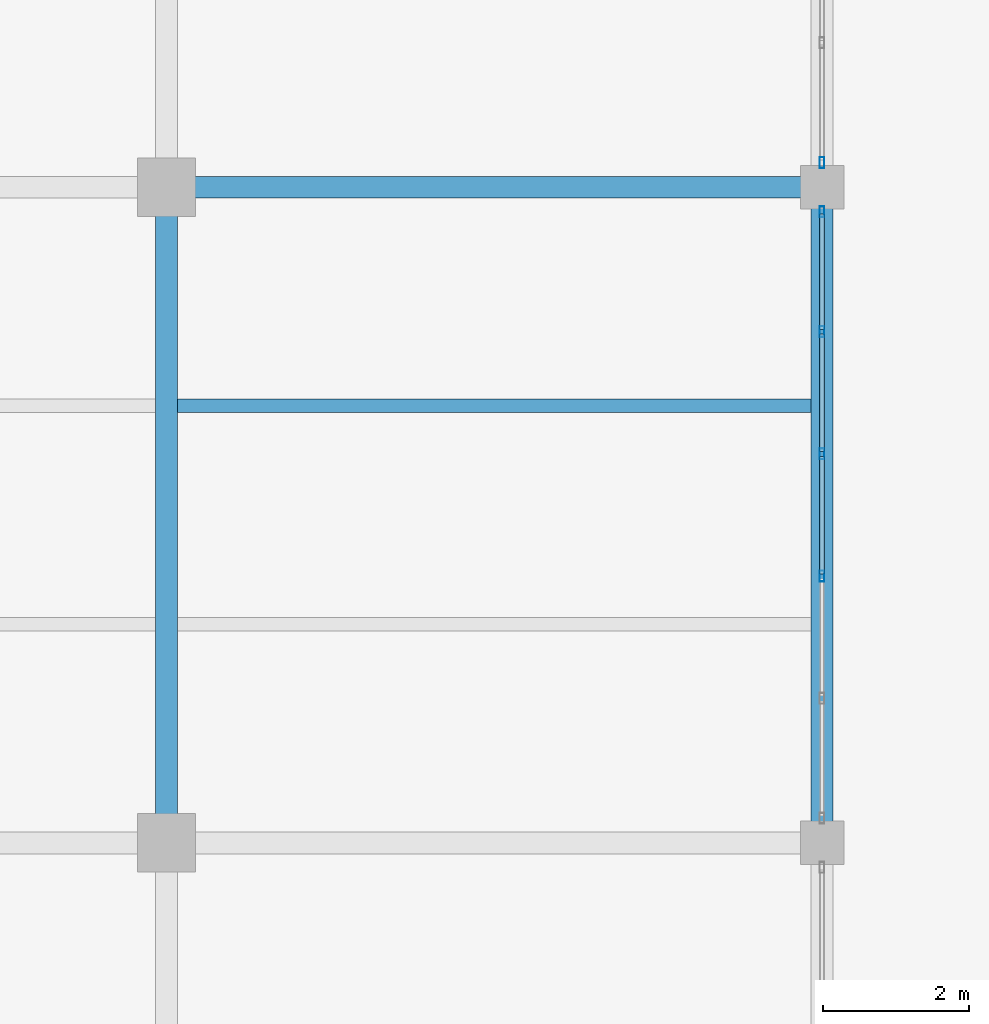
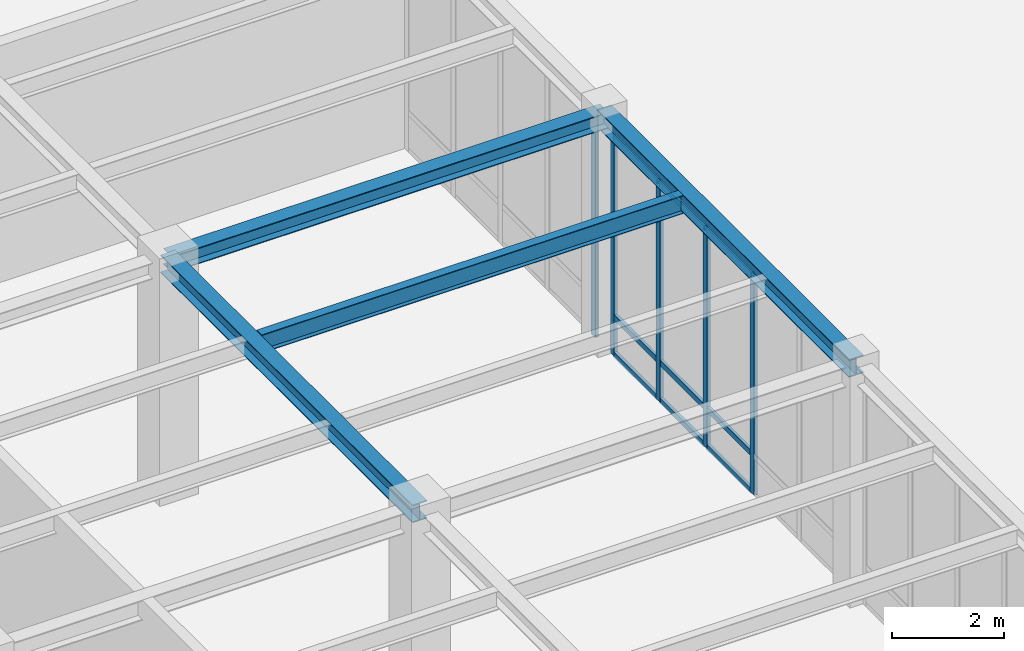
# One storey, part 42 of 77: 14 members, 4 beams, 2 elements without a shape of their own.
"""IFC4 building model written with IfcOpenShell, lengths in metres."""

import ifcopenshell
import ifcopenshell.guid

model = None  # the IFC model being written
_history = None  # IfcOwnerHistory: only IFC2X3 demands one
_inside = {}  # id of a spatial element -> (the spatial element, [elements in it])
_under = {}  # id of a project, library or spatial element -> (it, [spatial elements below it])
_declared = {}  # id of a project -> (the project, [libraries it declares])
_typed = {}  # id of a type object -> (the type object, [elements of that type])
_made_of = {}  # id of a material, layer set ... -> (it, [elements and type objects made of it])


def new_model(schema):
    """Start an empty IFC model of exactly this schema.

    Asked for "IFC4X3", IfcOpenShell would pick the latest addendum, in which some entities
    have other attributes; the version numbers below select the first issue.
    IFC2X3 requires an IfcOwnerHistory on every rooted entity: one is made here for all.
    """
    global model, _history
    if schema == "IFC4X3":
        model = ifcopenshell.file(schema_version=(4, 3, 0, 0))
    else:
        model = ifcopenshell.file(schema=schema)
    _inside.clear()
    _under.clear()
    _declared.clear()
    _typed.clear()
    _made_of.clear()
    _history = None
    if model.schema == "IFC2X3":
        org = make("IfcOrganization", Name="unknown")
        user = make(
            "IfcPersonAndOrganization",
            ThePerson=make("IfcPerson", FamilyName="unknown"),
            TheOrganization=org,
        )
        app = make(
            "IfcApplication",
            ApplicationDeveloper=org,
            Version="unknown",
            ApplicationFullName="unknown",
            ApplicationIdentifier="unknown",
        )
        _history = make(
            "IfcOwnerHistory",
            OwningUser=user,
            OwningApplication=app,
            ChangeAction="ADDED",
            CreationDate=0,
        )
    return model


def make(cls, **values):
    """One entity of the class cls with the attributes given. An attribute that is None is left unset."""
    return model.create_entity(
        cls, **{name: value for name, value in values.items() if value is not None}
    )


def rooted(cls, **values):
    """An entity with a GlobalId (a new one), such as an element, a storey or a relation."""
    return make(cls, GlobalId=ifcopenshell.guid.new(), OwnerHistory=_history, **values)


def si_unit(unit_type, name, prefix=None):
    """IfcSIUnit, for example si_unit("LENGTHUNIT", "METRE", prefix="MILLI")."""
    return make("IfcSIUnit", UnitType=unit_type, Prefix=prefix, Name=name)


def assignment(units):
    """IfcUnitAssignment: the units of a project."""
    return None if units is None else make("IfcUnitAssignment", Units=units)


def point(xyz):
    """IfcCartesianPoint."""
    return None if xyz is None else make("IfcCartesianPoint", Coordinates=xyz)


def direction(xyz):
    """IfcDirection."""
    return None if xyz is None else make("IfcDirection", DirectionRatios=xyz)


def frame(location, z_axis=None, x_axis=None):
    """IfcAxis2Placement3D, a coordinate frame: its origin and axes. An axis left out is left unset."""
    return make(
        "IfcAxis2Placement3D",
        Location=point(location),
        Axis=direction(z_axis),
        RefDirection=direction(x_axis),
    )


def frame_2d(location, x_axis=None):
    """IfcAxis2Placement2D, a coordinate frame in the plane: its origin and x axis."""
    return make(
        "IfcAxis2Placement2D", Location=point(location), RefDirection=direction(x_axis)
    )


def origin():
    """The frame at (0, 0, 0) with its axes left unset."""
    return frame((0.0, 0.0, 0.0))


def origin_2d():
    """The frame at (0, 0) in the plane with its x axis left unset."""
    return frame_2d((0.0, 0.0))


def place(relative_to, where):
    """IfcLocalPlacement: puts the frame where relative to a parent placement (None: the world)."""
    return make(
        "IfcLocalPlacement", PlacementRelTo=relative_to, RelativePlacement=where
    )


def context(
    kind, dimensions, precision=None, world=None, true_north=None, identifier=None
):
    """IfcGeometricRepresentationContext, for example the 3D "Model" context."""
    return make(
        "IfcGeometricRepresentationContext",
        ContextIdentifier=identifier,
        ContextType=kind,
        CoordinateSpaceDimension=dimensions,
        Precision=precision,
        WorldCoordinateSystem=world,
        TrueNorth=true_north,
    )


def subcontext(parent, identifier, kind, view, scale=None):
    """IfcGeometricRepresentationSubContext, for example "Body" below "Model"."""
    return make(
        "IfcGeometricRepresentationSubContext",
        ContextIdentifier=identifier,
        ContextType=kind,
        ParentContext=parent,
        TargetScale=scale,
        TargetView=view,
    )


def project(units=None, contexts=None):
    """IfcProject with its units and contexts."""
    return rooted(
        "IfcProject",
        Name="project",
        RepresentationContexts=contexts,
        UnitsInContext=assignment(units),
    )


def spatial(cls, under=None, at=None, **own):
    """A site, building, storey or space (cls), placed at a placement, below another one or the project."""
    s = rooted(cls, ObjectPlacement=at, **own)
    if under is not None:
        _under.setdefault(under.id(), (under, []))[1].append(s)
    return s


def profile(cls, at=None, kind="AREA", **sizes):
    """A parametric profile (cls). Its sizes go by their IFC names, for example OverallWidth=200.0."""
    return make(cls, ProfileType=kind, Position=at, **sizes)


def hollow_rectangle(**sizes):
    """IfcRectangleHollowProfileDef."""
    return profile("IfcRectangleHollowProfileDef", **sizes)


def i_section(**sizes):
    """IfcIShapeProfileDef."""
    return profile("IfcIShapeProfileDef", **sizes)


def extrude(swept, where, along, depth):
    """IfcExtrudedAreaSolid: the profile swept, set in the frame where, extruded along a direction by depth."""
    return make(
        "IfcExtrudedAreaSolid",
        SweptArea=swept,
        Position=where,
        ExtrudedDirection=direction(along),
        Depth=depth,
    )


def shape(context_of_items, identifier, shape_type, items):
    """IfcShapeRepresentation: the items that make up one representation, for example the "Body"."""
    return make(
        "IfcShapeRepresentation",
        ContextOfItems=context_of_items,
        RepresentationIdentifier=identifier,
        RepresentationType=shape_type,
        Items=items,
    )


def material(Name=None, Category=None):
    """IfcMaterial."""
    return make("IfcMaterial", Name=Name, Category=Category)


def material_profile(
    of_material, cross_section, Name=None, Category=None, Priority=None
):
    """IfcMaterialProfile: a cross section and its material."""
    return make(
        "IfcMaterialProfile",
        Name=Name,
        Material=of_material,
        Profile=cross_section,
        Priority=Priority,
        Category=Category,
    )


def profile_set(profiles, Name=None, composite=None):
    """IfcMaterialProfileSet."""
    return make(
        "IfcMaterialProfileSet",
        Name=Name,
        MaterialProfiles=profiles,
        CompositeProfile=composite,
    )


def made_of(thing, what):
    """Note that an element or type object is made of a material, layer set ...; save() writes the relation."""
    if what is not None:
        _made_of.setdefault(what.id(), (what, []))[1].append(thing)
    return thing


def type_object(cls, material=None, **own):
    """A type object (cls), such as IfcWallType, which elements share."""
    return made_of(rooted(cls, **own), material)


def element(
    cls,
    number,
    at=None,
    inside=None,
    cuts=None,
    type_object=None,
    material=None,
    context=None,
    identifier="Body",
    shape_type=None,
    held_by="IfcProductDefinitionShape",
    body=None,
    shapes=None,
    **own,
):
    """One element of the class cls, such as IfcWall. Its Tag is "e" and its number.

    at: its placement. inside: the storey or other place that contains it. cuts: it is an
    opening in that element (IfcRelVoidsElement). A single representation is given by context,
    identifier, shape_type and body (its items); several are given by shapes. held_by: the class
    of the entity that holds the representations. save() writes the other relations.
    """
    e = rooted(cls, Tag="e%d" % number, ObjectPlacement=at, **own)
    if body is not None:
        shapes = [shape(context, identifier, shape_type, body)]
    if shapes is not None:
        e.Representation = make(held_by, Representations=shapes)
    if inside is not None:
        _inside.setdefault(inside.id(), (inside, []))[1].append(e)
    if cuts is not None:
        rooted(
            "IfcRelVoidsElement", RelatingBuildingElement=cuts, RelatedOpeningElement=e
        )
    if type_object is not None:
        _typed.setdefault(type_object.id(), (type_object, []))[1].append(e)
    return made_of(e, material)


def aggregate(whole, parts):
    """IfcRelAggregates: a whole, such as a stair, and the parts it consists of."""
    return rooted("IfcRelAggregates", RelatingObject=whole, RelatedObjects=parts)


def save(model, path):
    """Write the relations noted so far, then the file.

    IfcRelAggregates (storeys below a building ...), IfcRelContainedInSpatialStructure (elements
    in a storey), IfcRelDefinesByType, IfcRelAssociatesMaterial and IfcRelDeclares: one each for
    every whole, place, type object, material and project.
    """
    for whole, parts in _under.values():
        aggregate(whole, parts)
    for where, things in _inside.values():
        rooted(
            "IfcRelContainedInSpatialStructure",
            RelatedElements=things,
            RelatingStructure=where,
        )
    for kind, things in _typed.values():
        rooted("IfcRelDefinesByType", RelatedObjects=things, RelatingType=kind)
    for what, things in _made_of.values():
        rooted("IfcRelAssociatesMaterial", RelatedObjects=things, RelatingMaterial=what)
    for by, libraries in _declared.values():
        rooted("IfcRelDeclares", RelatingContext=by, RelatedDefinitions=libraries)
    model.write(path)


model = new_model("IFC4")

# Units and contexts
model_context = context("Model", 3, precision=1e-05, world=origin(), true_north=direction((0.0, 1.0)))
body_context = subcontext(model_context, "Body", "Model", "MODEL_VIEW")
ifc_project = project(units=[si_unit("LENGTHUNIT", "METRE"), si_unit("AREAUNIT", "SQUARE_METRE"), si_unit("VOLUMEUNIT", "CUBIC_METRE"), si_unit("PLANEANGLEUNIT", "RADIAN"), si_unit("MASSUNIT", "GRAM", prefix="KILO")], contexts=[model_context])

# Site, building, storey
site_placement = place(None, origin())
site = spatial("IfcSite", under=ifc_project, at=site_placement, CompositionType="ELEMENT")
building_placement = place(site_placement, origin())
building = spatial("IfcBuilding", under=site, at=building_placement, Name="Lykobir Media Centre", CompositionType="ELEMENT")
storey_placement = place(building_placement, origin())
storey = spatial("IfcBuildingStorey", under=building, at=storey_placement, Name="L00", CompositionType="ELEMENT", Elevation=0.0)

# Beams
ifc_material_1 = material(Name="Steel S355", Category="steel")
ifc_material_profile_1 = material_profile(ifc_material_1, i_section(OverallWidth=0.300048828125, OverallDepth=0.389892578125, WebThickness=0.010986328125, FlangeThickness=0.01904296875, at=origin_2d()), Name="HEA 400")
ifc_profile_set_1 = profile_set([ifc_material_profile_1], Name="Steel S355")
beam_type_1 = type_object("IfcBeamType", Name="BM-HEA400", PredefinedType="BEAM", material=ifc_profile_set_1)
for number, where, z_axis, x_axis, name in (
    (1, (99.0, 36.0, 4.965087890625), (0.0, 1.0, 0.0), (-1.0, 0.0, 0.0), "Beam BM-L00-0990-0360-0990-0450-496"),
    (2, (108.0, 36.0, 4.985107421875), (0.0, 1.0, 0.0), (-1.0, 0.0, 0.0), "Beam BM-L00-1080-0360-1080-0450-499"),
):
    element("IfcBeam", number, at=place(storey_placement, frame(where, z_axis=z_axis, x_axis=x_axis)), inside=storey, type_object=beam_type_1, Name=name, PredefinedType="BEAM", context=body_context, shape_type="SweptSolid", body=[
        extrude(i_section(OverallWidth=0.300048828125, OverallDepth=0.389892578125, WebThickness=0.010986328125, FlangeThickness=0.01904296875, at=origin_2d()), origin(), (0.0, 0.0, 1.0), 9.0),
    ])

# Curtain wall, members
ifc_material_2 = material(Name="Anodized Aluminium AW-6060", Category="aluminium")
curtain_wall_type = type_object("IfcCurtainWallType", Name="CW-COURT-A", PredefinedType="NOTDEFINED", material=ifc_material_2)
curtain_wall_1_placement = place(storey_placement, origin())
curtain_wall_1 = element("IfcCurtainWall", 3, at=curtain_wall_1_placement, inside=storey, type_object=curtain_wall_type, Name="Curtain wall CW2-L00-0005", PredefinedType="NOTDEFINED")
ifc_material_profile_2 = material_profile(ifc_material_2, hollow_rectangle(XDim=0.06494140625, YDim=0.14990234375, WallThickness=0.00341796875, at=origin_2d()), Name="ALU MULLION 65x150")
ifc_profile_set_2 = profile_set([ifc_material_profile_2], Name="Anodized Aluminium AW-6060")
member_type_1 = type_object("IfcMemberType", Name="CWM-150", PredefinedType="MULLION", material=ifc_profile_set_2)
member_1_placement = place(storey_placement, frame((108.0, 44.66259765625, 0.0), z_axis=(0.0, 0.0, 1.0), x_axis=(1.0, 0.0, 0.0)))
member_1 = element("IfcMember", 4, at=member_1_placement, type_object=member_type_1, Name="CW2-L00-0005 mullion 1", PredefinedType="MULLION", context=body_context, shape_type="SweptSolid", body=[
    extrude(hollow_rectangle(XDim=0.06494140625, YDim=0.14990234375, WallThickness=0.00341796875, at=origin_2d()), origin(), (0.0, 0.0, 1.0), 4.77490234375),
])
member_2_placement = place(storey_placement, frame((108.0, 43.01708984375, 0.0), z_axis=(0.0, 0.0, 1.0), x_axis=(1.0, 0.0, 0.0)))
member_2 = element("IfcMember", 5, at=member_2_placement, type_object=member_type_1, Name="CW2-L00-0005 mullion 2", PredefinedType="MULLION", context=body_context, shape_type="SweptSolid", body=[
    extrude(hollow_rectangle(XDim=0.06494140625, YDim=0.14990234375, WallThickness=0.00341796875, at=origin_2d()), origin(), (0.0, 0.0, 1.0), 4.77490234375),
])
member_3_placement = place(storey_placement, frame((108.0, 41.339111328125, 0.0), z_axis=(0.0, 0.0, 1.0), x_axis=(1.0, 0.0, 0.0)))
member_3 = element("IfcMember", 6, at=member_3_placement, type_object=member_type_1, Name="CW2-L00-0005 mullion 3", PredefinedType="MULLION", context=body_context, shape_type="SweptSolid", body=[
    extrude(hollow_rectangle(XDim=0.06494140625, YDim=0.14990234375, WallThickness=0.00341796875, at=origin_2d()), origin(), (0.0, 0.0, 1.0), 4.77490234375),
])
member_4_placement = place(storey_placement, frame((108.0, 39.660888671875, 0.0), z_axis=(0.0, 0.0, 1.0), x_axis=(1.0, 0.0, 0.0)))
member_4 = element("IfcMember", 7, at=member_4_placement, type_object=member_type_1, Name="CW2-L00-0005 mullion 4", PredefinedType="MULLION", context=body_context, shape_type="SweptSolid", body=[
    extrude(hollow_rectangle(XDim=0.06494140625, YDim=0.14990234375, WallThickness=0.00341796875, at=origin_2d()), origin(), (0.0, 0.0, 1.0), 4.77490234375),
])

# Curtain wall, member
curtain_wall_2_placement = place(storey_placement, origin())
curtain_wall_2 = element("IfcCurtainWall", 8, at=curtain_wall_2_placement, inside=storey, type_object=curtain_wall_type, Name="Curtain wall CW2-L00-0006", PredefinedType="NOTDEFINED")
member_5_placement = place(storey_placement, frame((108.0, 45.33740234375, 0.0), z_axis=(0.0, 0.0, 1.0), x_axis=(1.0, 0.0, 0.0)))
member_5 = element("IfcMember", 9, at=member_5_placement, type_object=member_type_1, Name="CW2-L00-0006 mullion 6", PredefinedType="MULLION", context=body_context, shape_type="SweptSolid", body=[
    extrude(hollow_rectangle(XDim=0.06494140625, YDim=0.14990234375, WallThickness=0.00341796875, at=origin_2d()), origin(), (0.0, 0.0, 1.0), 4.77490234375),
])
aggregate(curtain_wall_2, [member_5])

# Member
ifc_material_profile_3 = material_profile(ifc_material_2, hollow_rectangle(XDim=0.06494140625, YDim=0.1201171875, WallThickness=0.0029296875, at=origin_2d()), Name="ALU TRANSOM 65x120")
ifc_profile_set_3 = profile_set([ifc_material_profile_3], Name="Anodized Aluminium AW-6060")
member_type_2 = type_object("IfcMemberType", Name="CWT-120", PredefinedType="USERDEFINED", material=ifc_profile_set_3)
member_6_placement = place(storey_placement, frame((108.0, 44.6298828125, 0.032470703125), z_axis=(0.0, -1.0, 0.0), x_axis=(1.0, 0.0, 0.0)))
member_6 = element("IfcMember", 10, at=member_6_placement, type_object=member_type_2, Name="CW2-L00-0005 transom 1.1", ObjectType="TRANSOM", PredefinedType="USERDEFINED", context=body_context, shape_type="SweptSolid", body=[
    extrude(hollow_rectangle(XDim=0.06494140625, YDim=0.1201171875, WallThickness=0.0029296875, at=origin_2d()), origin(), (0.0, 0.0, 1.0), 1.580322265625),
])

member_7_placement = place(storey_placement, frame((108.0, 44.6298828125, 0.85009765625), z_axis=(0.0, -1.0, 0.0), x_axis=(1.0, 0.0, 0.0)))
member_7 = element("IfcMember", 11, at=member_7_placement, type_object=member_type_2, Name="CW2-L00-0005 transom 1.2", ObjectType="TRANSOM", PredefinedType="USERDEFINED", context=body_context, shape_type="SweptSolid", body=[
    extrude(hollow_rectangle(XDim=0.06494140625, YDim=0.1201171875, WallThickness=0.0029296875, at=origin_2d()), origin(), (0.0, 0.0, 1.0), 1.580322265625),
])

member_8_placement = place(storey_placement, frame((108.0, 44.6298828125, 4.742431640625), z_axis=(0.0, -1.0, 0.0), x_axis=(1.0, 0.0, 0.0)))
member_8 = element("IfcMember", 12, at=member_8_placement, type_object=member_type_2, Name="CW2-L00-0005 transom 1.3", ObjectType="TRANSOM", PredefinedType="USERDEFINED", context=body_context, shape_type="SweptSolid", body=[
    extrude(hollow_rectangle(XDim=0.06494140625, YDim=0.1201171875, WallThickness=0.0029296875, at=origin_2d()), origin(), (0.0, 0.0, 1.0), 1.580322265625),
])

member_9_placement = place(storey_placement, frame((108.0, 42.984619140625, 0.032470703125), z_axis=(0.0, -1.0, 0.0), x_axis=(1.0, 0.0, 0.0)))
member_9 = element("IfcMember", 13, at=member_9_placement, type_object=member_type_2, Name="CW2-L00-0005 transom 2.1", ObjectType="TRANSOM", PredefinedType="USERDEFINED", context=body_context, shape_type="SweptSolid", body=[
    extrude(hollow_rectangle(XDim=0.06494140625, YDim=0.1201171875, WallThickness=0.0029296875, at=origin_2d()), origin(), (0.0, 0.0, 1.0), 1.613037109375),
])

member_10_placement = place(storey_placement, frame((108.0, 42.984619140625, 0.85009765625), z_axis=(0.0, -1.0, 0.0), x_axis=(1.0, 0.0, 0.0)))
member_10 = element("IfcMember", 14, at=member_10_placement, type_object=member_type_2, Name="CW2-L00-0005 transom 2.2", ObjectType="TRANSOM", PredefinedType="USERDEFINED", context=body_context, shape_type="SweptSolid", body=[
    extrude(hollow_rectangle(XDim=0.06494140625, YDim=0.1201171875, WallThickness=0.0029296875, at=origin_2d()), origin(), (0.0, 0.0, 1.0), 1.613037109375),
])

member_11_placement = place(storey_placement, frame((108.0, 42.984619140625, 4.742431640625), z_axis=(0.0, -1.0, 0.0), x_axis=(1.0, 0.0, 0.0)))
member_11 = element("IfcMember", 15, at=member_11_placement, type_object=member_type_2, Name="CW2-L00-0005 transom 2.3", ObjectType="TRANSOM", PredefinedType="USERDEFINED", context=body_context, shape_type="SweptSolid", body=[
    extrude(hollow_rectangle(XDim=0.06494140625, YDim=0.1201171875, WallThickness=0.0029296875, at=origin_2d()), origin(), (0.0, 0.0, 1.0), 1.613037109375),
])

member_12_placement = place(storey_placement, frame((108.0, 41.306396484375, 0.032470703125), z_axis=(0.0, -1.0, 0.0), x_axis=(1.0, 0.0, 0.0)))
member_12 = element("IfcMember", 16, at=member_12_placement, type_object=member_type_2, Name="CW2-L00-0005 transom 3.1", ObjectType="TRANSOM", PredefinedType="USERDEFINED", context=body_context, shape_type="SweptSolid", body=[
    extrude(hollow_rectangle(XDim=0.06494140625, YDim=0.1201171875, WallThickness=0.0029296875, at=origin_2d()), origin(), (0.0, 0.0, 1.0), 1.61279296875),
])

member_13_placement = place(storey_placement, frame((108.0, 41.306396484375, 0.85009765625), z_axis=(0.0, -1.0, 0.0), x_axis=(1.0, 0.0, 0.0)))
member_13 = element("IfcMember", 17, at=member_13_placement, type_object=member_type_2, Name="CW2-L00-0005 transom 3.2", ObjectType="TRANSOM", PredefinedType="USERDEFINED", context=body_context, shape_type="SweptSolid", body=[
    extrude(hollow_rectangle(XDim=0.06494140625, YDim=0.1201171875, WallThickness=0.0029296875, at=origin_2d()), origin(), (0.0, 0.0, 1.0), 1.61279296875),
])

member_14_placement = place(storey_placement, frame((108.0, 41.306396484375, 4.742431640625), z_axis=(0.0, -1.0, 0.0), x_axis=(1.0, 0.0, 0.0)))
member_14 = element("IfcMember", 18, at=member_14_placement, type_object=member_type_2, Name="CW2-L00-0005 transom 3.3", ObjectType="TRANSOM", PredefinedType="USERDEFINED", context=body_context, shape_type="SweptSolid", body=[
    extrude(hollow_rectangle(XDim=0.06494140625, YDim=0.1201171875, WallThickness=0.0029296875, at=origin_2d()), origin(), (0.0, 0.0, 1.0), 1.61279296875),
])

aggregate(curtain_wall_1, [member_1, member_2, member_3, member_4, member_6, member_7, member_8, member_9, member_10, member_11, member_12, member_13, member_14])

# Beams
ifc_material_profile_4 = material_profile(ifc_material_1, i_section(OverallWidth=0.179931640625, OverallDepth=0.39990234375, WebThickness=0.008544921875, FlangeThickness=0.013427734375, at=origin_2d()), Name="IPE 400")
ifc_profile_set_4 = profile_set([ifc_material_profile_4], Name="Steel S355")
beam_type_2 = type_object("IfcBeamType", Name="JS-IPE400", PredefinedType="JOIST", material=ifc_profile_set_4)
beam_1_placement = place(storey_placement, frame((99.14990234375, 42.0, 4.97998046875), z_axis=(1.0, 0.0, 0.0), x_axis=(0.0, 1.0, 0.0)))
element("IfcBeam", 19, at=beam_1_placement, inside=storey, type_object=beam_type_2, Name="Beam BM-L00-0992-0420-1078-0420-498", PredefinedType="JOIST", context=body_context, shape_type="SweptSolid", body=[
    extrude(i_section(OverallWidth=0.179931640625, OverallDepth=0.39990234375, WebThickness=0.008544921875, FlangeThickness=0.013427734375, at=origin_2d()), origin(), (0.0, 0.0, 1.0), 8.7001953125),
])
ifc_material_profile_5 = material_profile(ifc_material_1, i_section(OverallWidth=0.300048828125, OverallDepth=0.35009765625, WebThickness=0.010009765625, FlangeThickness=0.017578125, at=origin_2d()), Name="HEA 360")
ifc_profile_set_5 = profile_set([ifc_material_profile_5], Name="Steel S355")
beam_type_3 = type_object("IfcBeamType", Name="SP-HEA360", PredefinedType="SPANDREL", material=ifc_profile_set_5)
beam_2_placement = place(storey_placement, frame((99.0, 45.0, 4.98291015625), z_axis=(1.0, 0.0, 0.0), x_axis=(0.0, 1.0, 0.0)))
element("IfcBeam", 20, at=beam_2_placement, inside=storey, type_object=beam_type_3, Name="Beam BM-L00-0990-0450-1080-0450-500", PredefinedType="SPANDREL", context=body_context, shape_type="SweptSolid", body=[
    extrude(i_section(OverallWidth=0.300048828125, OverallDepth=0.35009765625, WebThickness=0.010009765625, FlangeThickness=0.017578125, at=origin_2d()), origin(), (0.0, 0.0, 1.0), 9.0),
])

save(model, "model.ifc")
